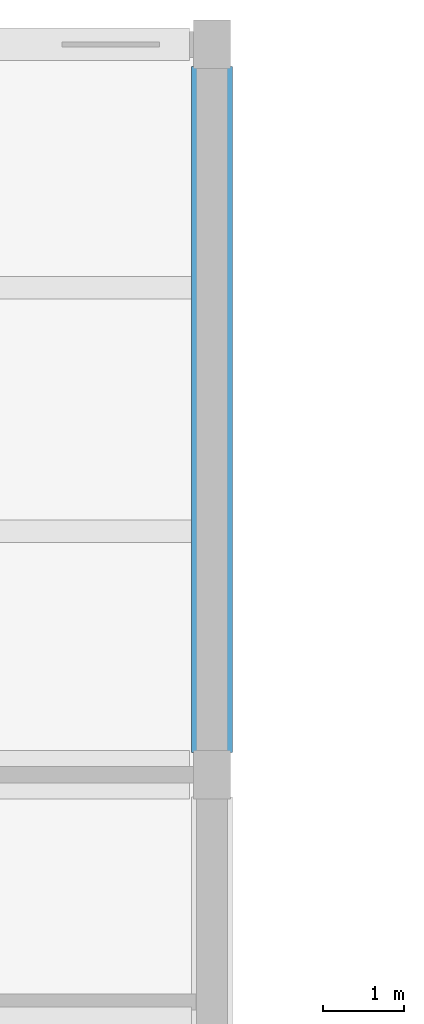
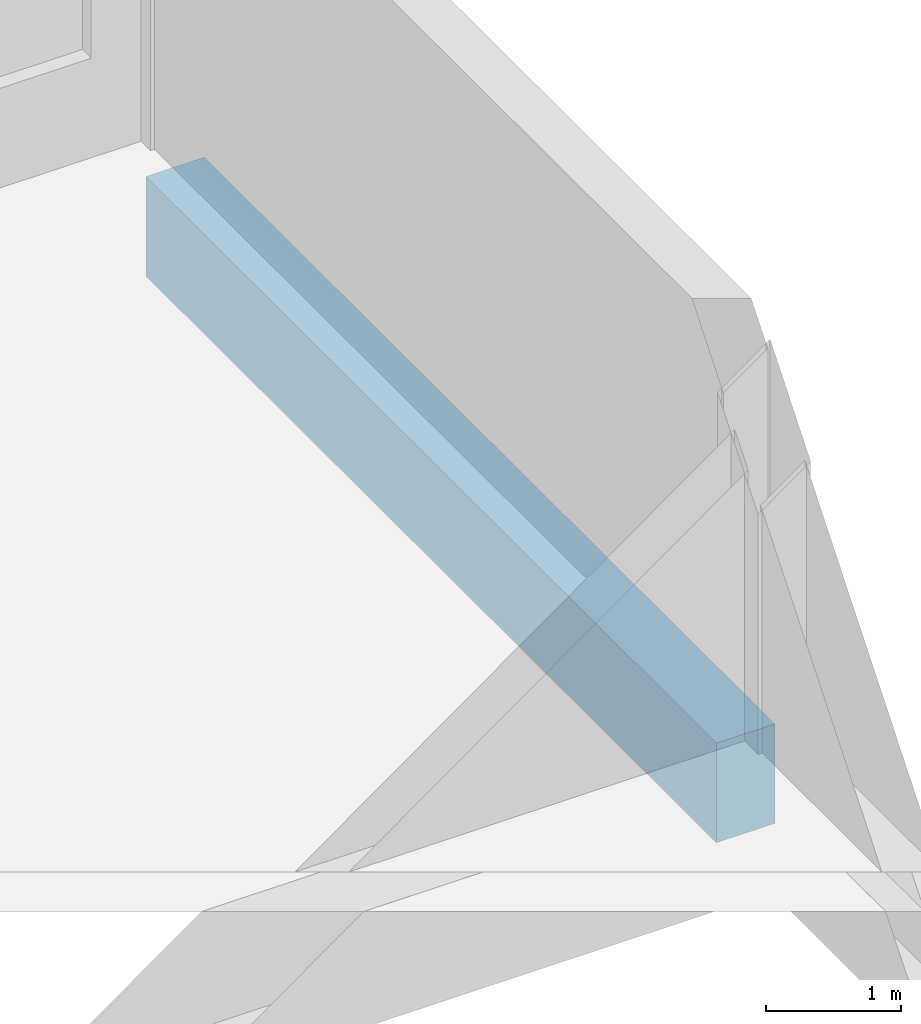
# One storey, part 57 of 107: 1 beam.
"""IFC4 building model written with IfcOpenShell, lengths in metres."""

from ifc_helpers import new_model, si_unit, direction, frame, origin, origin_2d, place, context, subcontext, project, spatial, rectangle, extrude, material, material_profile, profile_set, type_object, element, save


model = new_model("IFC4")

# Units and contexts
model_context = context("Model", 3, precision=1e-05, world=origin(), true_north=direction((0.0, 1.0)))
body_context = subcontext(model_context, "Body", "Model", "MODEL_VIEW")
ifc_project = project(units=[si_unit("LENGTHUNIT", "METRE"), si_unit("AREAUNIT", "SQUARE_METRE"), si_unit("VOLUMEUNIT", "CUBIC_METRE"), si_unit("PLANEANGLEUNIT", "RADIAN"), si_unit("MASSUNIT", "GRAM", prefix="KILO")], contexts=[model_context])

# Site, building, storey
site_placement = place(None, origin())
site = spatial("IfcSite", under=ifc_project, at=site_placement, CompositionType="ELEMENT")
building_placement = place(site_placement, origin())
building = spatial("IfcBuilding", under=site, at=building_placement, Name="Vireocrest Preparatory School", CompositionType="ELEMENT")
storey_placement = place(building_placement, frame((0.0, 0.0, 13.199951171875)))
storey = spatial("IfcBuildingStorey", under=building, at=storey_placement, Name="L03", CompositionType="ELEMENT", Elevation=13.199951171875)

# Beam
ifc_material = material(Name="Concrete 40 MPa", Category="concrete")
ifc_material_profile = material_profile(ifc_material, rectangle(XDim=0.5, YDim=0.89990234375, at=origin_2d()), Name="RC 500x900")
ifc_profile_set = profile_set([ifc_material_profile], Name="Concrete 40 MPa")
beam_type = type_object("IfcBeamType", Name="RC Podium Girder 500x900", PredefinedType="BEAM", material=ifc_profile_set)
beam_placement = place(storey_placement, frame((117.60009765625, 104.074951171875, -0.68994140625), z_axis=(0.0, 1.0, 0.0), x_axis=(-1.0, 0.0, 0.0)))
element("IfcBeam", 1, at=beam_placement, inside=storey, type_object=beam_type, Name="Primary Girder B15 L03-1178", PredefinedType="BEAM", context=body_context, shape_type="SweptSolid", body=[
    extrude(rectangle(XDim=0.5, YDim=0.89990234375, at=origin_2d()), origin(), (0.0, 0.0, 1.0), 8.449951171875),
])

save(model, "model.ifc")
